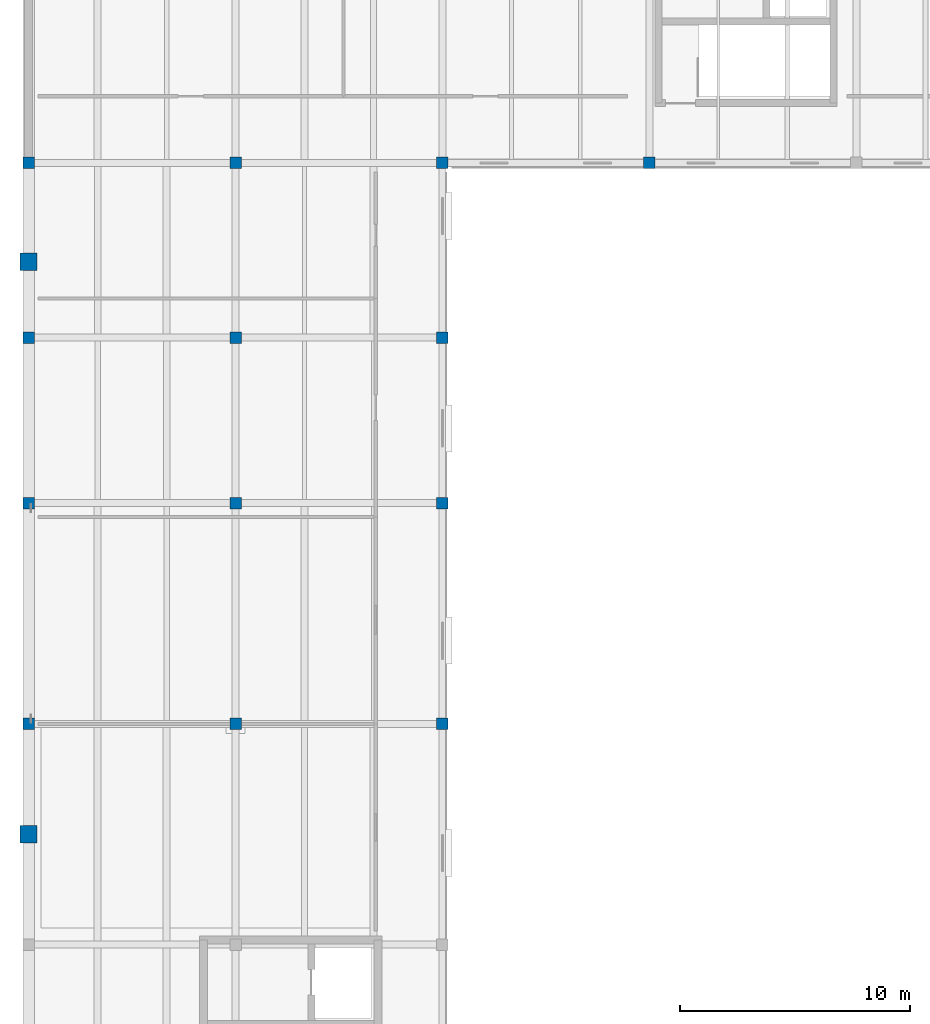
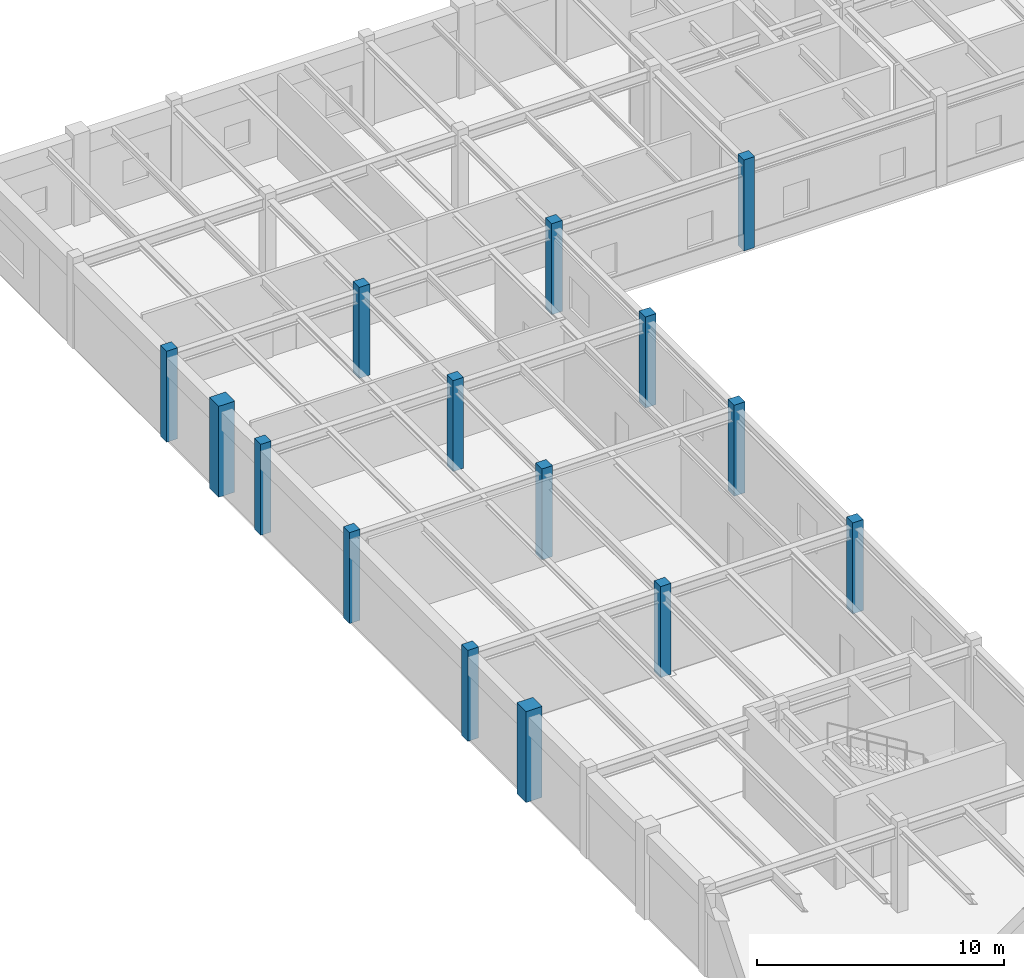
# One storey, part 8 of 64: 15 columns.
"""IFC4 building model written with IfcOpenShell, lengths in metres."""

from ifc_helpers import new_model, si_unit, direction, frame, origin, origin_2d, place, context, subcontext, project, spatial, rectangle, extrude, material, material_profile, profile_set, type_object, element, save


model = new_model("IFC4")

# Units and contexts
model_context = context("Model", 3, precision=1e-05, world=origin(), true_north=direction((0.0, 1.0)))
body_context = subcontext(model_context, "Body", "Model", "MODEL_VIEW")
ifc_project = project(units=[si_unit("LENGTHUNIT", "METRE"), si_unit("AREAUNIT", "SQUARE_METRE"), si_unit("VOLUMEUNIT", "CUBIC_METRE"), si_unit("PLANEANGLEUNIT", "RADIAN"), si_unit("MASSUNIT", "GRAM", prefix="KILO")], contexts=[model_context])

# Site, building, storey
site_placement = place(None, origin())
site = spatial("IfcSite", under=ifc_project, at=site_placement, CompositionType="ELEMENT")
building_placement = place(site_placement, origin())
building = spatial("IfcBuilding", under=site, at=building_placement, Name="Montealbar Specialist Clinic", CompositionType="ELEMENT")
storey_placement = place(building_placement, frame((0.0, 0.0, 5.10009765625)))
storey = spatial("IfcBuildingStorey", under=building, at=storey_placement, Name="L01", CompositionType="ELEMENT", Elevation=5.10009765625)

# Columns
ifc_material_1 = material(Name="Concrete C35/45", Category="concrete")
ifc_material_profile_1 = material_profile(ifc_material_1, rectangle(XDim=0.5, YDim=0.5, at=origin_2d()), Name="RC 500x500", Category="concrete")
ifc_profile_set_1 = profile_set([ifc_material_profile_1], Name="Concrete C35/45")
column_type_1 = type_object("IfcColumnType", Name="COL-RC-L01", PredefinedType="COLUMN", material=ifc_profile_set_1)
for number, where, z_axis, x_axis, name in (
    (1, (9.0, 71.39990234375, 0.0), (0.0, 0.0, 1.0), (1.0, 0.0, 0.0), "Column 2/J L01"),
    (2, (9.0, 81.0, 0.0), (0.0, 0.0, 1.0), (1.0, 0.0, 0.0), "Column 2/K L01"),
    (3, (9.0, 88.199951171875, 0.0), (0.0, 0.0, 1.0), (1.0, 0.0, 0.0), "Column 2/L L01"),
    (4, (9.0, 95.800048828125, 0.0), (0.0, 0.0, 1.0), (1.0, 0.0, 0.0), "Column 2/M L01"),
):
    element("IfcColumn", number, at=place(storey_placement, frame(where, z_axis=z_axis, x_axis=x_axis)), inside=storey, type_object=column_type_1, Name=name, PredefinedType="COLUMN", context=body_context, shape_type="SweptSolid", body=[
        extrude(rectangle(XDim=0.5, YDim=0.5, at=origin_2d()), origin(), (0.0, 0.0, 1.0), 4.5),
    ])
ifc_material_profile_2 = material_profile(ifc_material_1, rectangle(XDim=0.5, YDim=0.5, at=origin_2d()), Name="RC 500x500", Category="concrete")
ifc_profile_set_2 = profile_set([ifc_material_profile_2], Name="Concrete C35/45")
column_type_2 = type_object("IfcColumnType", Name="COL-RC-L01-EXT", PredefinedType="COLUMN", material=ifc_profile_set_2)
for number, where, z_axis, x_axis, name in (
    (5, (0.0, 71.39990234375, 0.0), (0.0, 0.0, 1.0), (1.0, 0.0, 0.0), "Column 1/J L01"),
    (6, (0.0, 81.0, 0.0), (0.0, 0.0, 1.0), (1.0, 0.0, 0.0), "Column 1/K L01"),
    (7, (0.0, 88.199951171875, 0.0), (0.0, 0.0, 1.0), (1.0, 0.0, 0.0), "Column 1/L L01"),
    (8, (0.0, 95.800048828125, 0.0), (0.0, 0.0, 1.0), (1.0, 0.0, 0.0), "Column 1/M L01"),
    (9, (18.0, 71.39990234375, 0.0), (0.0, 0.0, 1.0), (1.0, 0.0, 0.0), "Column 3/J L01"),
    (10, (18.0, 81.0, 0.0), (0.0, 0.0, 1.0), (1.0, 0.0, 0.0), "Column 3/K L01"),
    (11, (18.0, 88.199951171875, 0.0), (0.0, 0.0, 1.0), (1.0, 0.0, 0.0), "Column 3/L L01"),
    (12, (18.0, 95.800048828125, 0.0), (0.0, 0.0, 1.0), (1.0, 0.0, 0.0), "Column 3/M L01"),
    (13, (27.0, 95.800048828125, 0.0), (0.0, 0.0, 1.0), (1.0, 0.0, 0.0), "Column 4/M L01"),
):
    element("IfcColumn", number, at=place(storey_placement, frame(where, z_axis=z_axis, x_axis=x_axis)), inside=storey, type_object=column_type_2, Name=name, PredefinedType="COLUMN", context=body_context, shape_type="SweptSolid", body=[
        extrude(rectangle(XDim=0.5, YDim=0.5, at=origin_2d()), origin(), (0.0, 0.0, 1.0), 4.5),
    ])
ifc_material_2 = material(Name="Guadarrama granite ashlar", Category="masonry")
ifc_material_profile_3 = material_profile(ifc_material_2, rectangle(XDim=0.75, YDim=0.75, at=origin_2d()), Name="GRANITE PILASTER 750x750", Category="masonry")
ifc_profile_set_3 = profile_set([ifc_material_profile_3], Name="Guadarrama granite ashlar")
column_type_3 = type_object("IfcColumnType", Name="PIL-PM-GIANT-EXT", PredefinedType="PILASTER", material=ifc_profile_set_3)
for number, where, z_axis, x_axis, name in (
    (14, (0.0, 66.60009765625, 0.0), (0.0, 0.0, 1.0), (1.0, 0.0, 0.0), "Column WP2/HJ L01"),
    (15, (0.0, 91.5, 0.0), (0.0, 0.0, 1.0), (1.0, 0.0, 0.0), "Column WP3/LM L01"),
):
    element("IfcColumn", number, at=place(storey_placement, frame(where, z_axis=z_axis, x_axis=x_axis)), inside=storey, type_object=column_type_3, Name=name, PredefinedType="PILASTER", context=body_context, shape_type="SweptSolid", body=[
        extrude(rectangle(XDim=0.75, YDim=0.75, at=origin_2d()), origin(), (0.0, 0.0, 1.0), 4.5),
    ])

save(model, "model.ifc")
